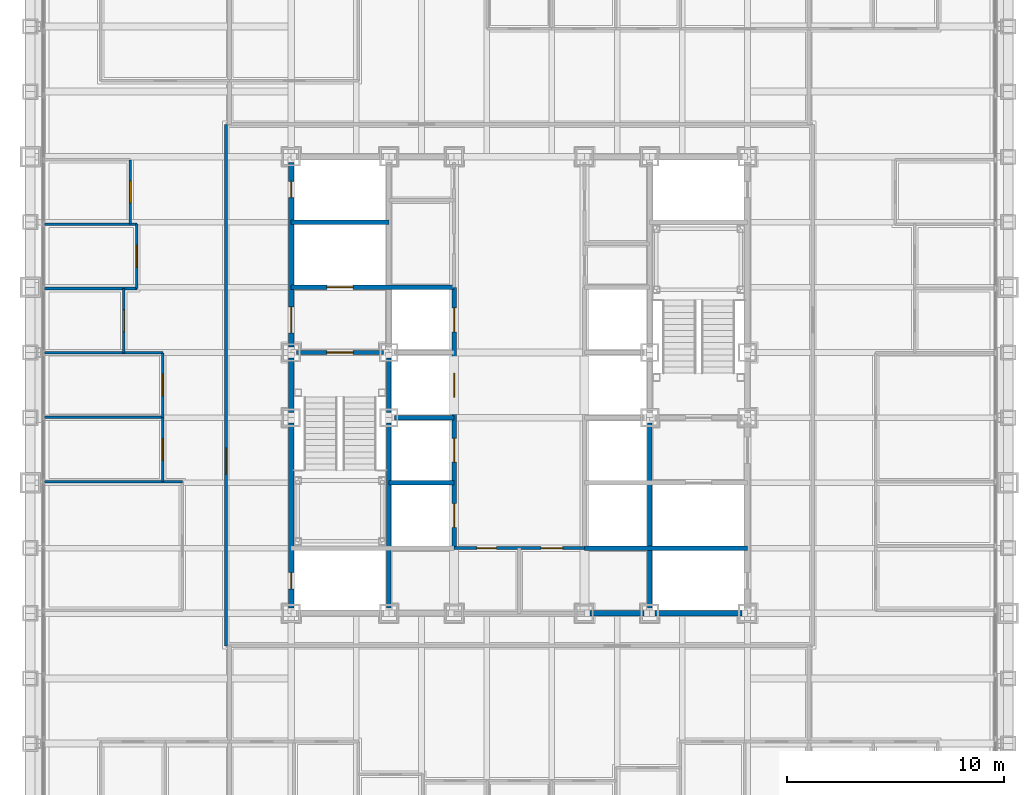
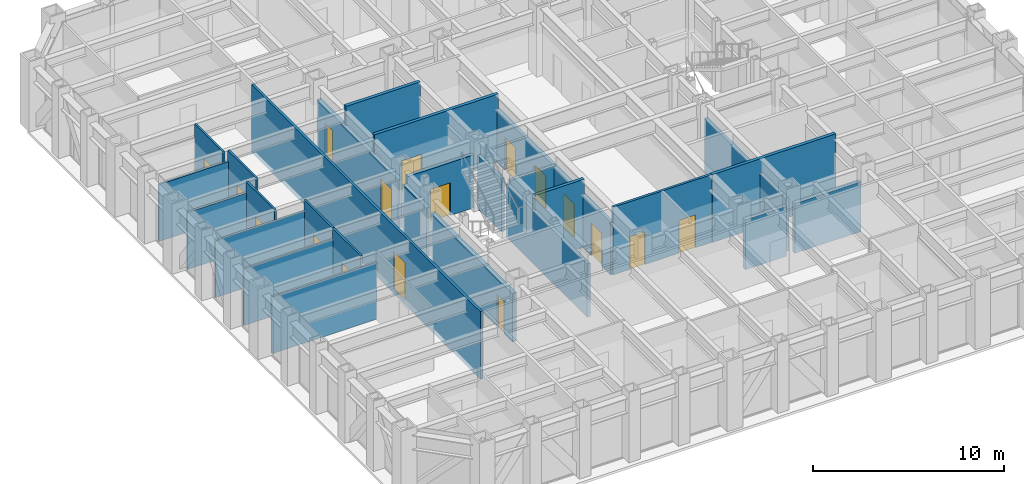
# One storey, part 9 of 16: 27 walls, 17 doors, 17 openings.
"""IFC4 building model written with IfcOpenShell, lengths in metres."""

from ifc_helpers import new_model, si_unit, direction, frame, frame_2d, origin, place, context, subcontext, project, spatial, rectangle, extrude, material, layer, layer_set, type_object, element, fill, save


model = new_model("IFC4")

# Units and contexts
model_context = context("Model", 3, precision=1e-05, world=origin(), true_north=direction((0.0, 1.0)))
body_context = subcontext(model_context, "Body", "Model", "MODEL_VIEW")
ifc_project = project(units=[si_unit("LENGTHUNIT", "METRE"), si_unit("AREAUNIT", "SQUARE_METRE"), si_unit("VOLUMEUNIT", "CUBIC_METRE"), si_unit("PLANEANGLEUNIT", "RADIAN"), si_unit("MASSUNIT", "GRAM", prefix="KILO")], contexts=[model_context])

# Site, building, storey
site_placement = place(None, origin())
site = spatial("IfcSite", under=ifc_project, at=site_placement, CompositionType="ELEMENT")
building_placement = place(site_placement, origin())
building = spatial("IfcBuilding", under=site, at=building_placement, Name="Chuquiago Exchange Tower", CompositionType="ELEMENT")
storey_placement = place(building_placement, frame((0.0, 0.0, 82.800048828125)))
storey = spatial("IfcBuildingStorey", under=building, at=storey_placement, Name="L17", CompositionType="ELEMENT", Elevation=82.800048828125)

# Wall, opening, door
ifc_material_1 = material(Name="Concrete masonry, fully grouted", Category="masonry")
ifc_layer_1 = layer(ifc_material_1, 0.25)
ifc_layer_set_1 = layer_set([ifc_layer_1], Name="W1 core wall 250")
wall_type_1 = type_object("IfcWallType", Name="W1 core wall 250", PredefinedType="SOLIDWALL", material=ifc_layer_set_1)
wall_1_placement = place(storey_placement, frame((12.0, 12.25, 0.0), z_axis=(0.0, 0.0, 1.0), x_axis=(0.0, 1.0, 0.0)))
wall_1 = element("IfcWall", 1, at=wall_1_placement, inside=storey, type_object=wall_type_1, Name="CW-L17-00-0", PredefinedType="SOLIDWALL", context=body_context, shape_type="SweptSolid", body=[
    extrude(rectangle(XDim=8.5, YDim=0.25, at=frame_2d((4.25, 0.0))), origin(), (0.0, 0.0, 1.0), 3.11279296875),
])
opening_1_placement = place(wall_1_placement, frame((0.875, 0.0, 0.0)))
opening_1 = element("IfcOpeningElement", 2, at=opening_1_placement, cuts=wall_1, Name="Opening L17-007", PredefinedType="OPENING", context=body_context, shape_type="SweptSolid", body=[
    extrude(rectangle(XDim=0.75, YDim=2.10009765625, at=frame_2d((0.375, 1.050048828125))), frame((0.0, 0.135009765625, 0.0), z_axis=(0.0, -1.0, 0.0), x_axis=(1.0, 0.0, 0.0)), (0.0, 0.0, 1.0), 0.27001953125),
])
ifc_material_2 = material(Name="Steel door, painted", Category="steel")
door_type_1 = type_object("IfcDoorType", Name="D6 riser access door 750x2100", OperationType="SINGLE_SWING_LEFT", PredefinedType="DOOR", material=ifc_material_2)
door_1_placement = place(opening_1_placement, origin())
door_1 = element("IfcDoor", 3, at=door_1_placement, inside=storey, type_object=door_type_1, Name="Riser RW1 door", OperationType="SINGLE_SWING_LEFT", OverallHeight=2.10009765625, OverallWidth=0.75, PredefinedType="DOOR", context=body_context, shape_type="SweptSolid", body=[
    extrude(rectangle(XDim=0.75, YDim=2.10009765625, at=frame_2d((0.375, 1.050048828125))), frame((0.0, 0.02490234375, 0.0), z_axis=(0.0, -1.0, 0.0), x_axis=(1.0, 0.0, 0.0)), (0.0, 0.0, 1.0), 0.050048828125),
])
fill(opening_1, door_1)

# Wall
wall_2_placement = place(storey_placement, frame((12.0, 21.25, 0.0), z_axis=(0.0, 0.0, 1.0), x_axis=(0.0, 1.0, 0.0)))
element("IfcWall", 4, at=wall_2_placement, inside=storey, type_object=wall_type_1, Name="CW-L17-00-1", PredefinedType="SOLIDWALL", context=body_context, shape_type="SweptSolid", body=[
    extrude(rectangle(XDim=2.5, YDim=0.25, at=frame_2d((1.25, 0.0))), origin(), (0.0, 0.0, 1.0), 3.11279296875),
])

# Wall, openings, doors
wall_3_placement = place(storey_placement, frame((12.0, 24.25, 0.0), z_axis=(0.0, 0.0, 1.0), x_axis=(0.0, 1.0, 0.0)))
wall_3 = element("IfcWall", 5, at=wall_3_placement, inside=storey, type_object=wall_type_1, Name="CW-L17-00-2", PredefinedType="SOLIDWALL", context=body_context, shape_type="SweptSolid", body=[
    extrude(rectangle(XDim=8.5, YDim=0.25, at=frame_2d((4.25, 0.0))), origin(), (0.0, 0.0, 1.0), 3.11279296875),
])
opening_2_placement = place(wall_3_placement, frame((0.64990234375, 0.0, 0.0)))
opening_2 = element("IfcOpeningElement", 6, at=opening_2_placement, cuts=wall_3, Name="Opening L17-002", PredefinedType="OPENING", context=body_context, shape_type="SweptSolid", body=[
    extrude(rectangle(XDim=1.199951171875, YDim=2.10009765625, at=frame_2d((0.60009765625, 1.050048828125))), frame((0.0, 0.135009765625, 0.0), z_axis=(0.0, -1.0, 0.0), x_axis=(1.0, 0.0, 0.0)), (0.0, 0.0, 1.0), 0.27001953125),
])
opening_3_placement = place(wall_3_placement, frame((6.875, 0.0, 0.0)))
opening_3 = element("IfcOpeningElement", 7, at=opening_3_placement, cuts=wall_3, Name="Opening L17-008", PredefinedType="OPENING", context=body_context, shape_type="SweptSolid", body=[
    extrude(rectangle(XDim=0.75, YDim=2.10009765625, at=frame_2d((0.375, 1.050048828125))), frame((0.0, 0.135009765625, 0.0), z_axis=(0.0, -1.0, 0.0), x_axis=(1.0, 0.0, 0.0)), (0.0, 0.0, 1.0), 0.27001953125),
])
ifc_material_3 = material(Name="Steel door, painted", Category="steel")
door_type_2 = type_object("IfcDoorType", Name="D5 firefighting lobby door 1200x2100", OperationType="SINGLE_SWING_LEFT", PredefinedType="DOOR", material=ifc_material_3)
door_2_placement = place(opening_2_placement, frame((1.199951171875, 0.0, 0.0), z_axis=(0.0, 0.0, 1.0), x_axis=(-1.0, 0.0, 0.0)))
door_2 = element("IfcDoor", 8, at=door_2_placement, inside=storey, type_object=door_type_2, Name="Firefighting lobby 1 door", OperationType="SINGLE_SWING_RIGHT", OverallHeight=2.10009765625, OverallWidth=1.199951171875, PredefinedType="DOOR", context=body_context, shape_type="SweptSolid", body=[
    extrude(rectangle(XDim=1.199951171875, YDim=2.10009765625, at=frame_2d((0.60009765625, 1.050048828125))), frame((0.0, 0.02490234375, 0.0), z_axis=(0.0, -1.0, 0.0), x_axis=(1.0, 0.0, 0.0)), (0.0, 0.0, 1.0), 0.050048828125),
])
fill(opening_2, door_2)
door_3_placement = place(opening_3_placement, origin())
door_3 = element("IfcDoor", 9, at=door_3_placement, inside=storey, type_object=door_type_1, Name="Riser RW2 door", OperationType="SINGLE_SWING_RIGHT", OverallHeight=2.10009765625, OverallWidth=0.75, PredefinedType="DOOR", context=body_context, shape_type="SweptSolid", body=[
    extrude(rectangle(XDim=0.75, YDim=2.10009765625, at=frame_2d((0.375, 1.050048828125))), frame((0.0, 0.02490234375, 0.0), z_axis=(0.0, -1.0, 0.0), x_axis=(1.0, 0.0, 0.0)), (0.0, 0.0, 1.0), 0.050048828125),
])
fill(opening_3, door_3)

# Walls
wall_4_placement = place(storey_placement, frame((25.75, 12.0, 0.0), z_axis=(0.0, 0.0, 1.0), x_axis=(1.0, 0.0, 0.0)))
element("IfcWall", 10, at=wall_4_placement, inside=storey, type_object=wall_type_1, Name="CW-L17-02-0", PredefinedType="SOLIDWALL", context=body_context, shape_type="SweptSolid", body=[
    extrude(rectangle(XDim=2.5, YDim=0.25, at=frame_2d((1.25, 0.0))), origin(), (0.0, 0.0, 1.0), 3.181396484375),
])
wall_5_placement = place(storey_placement, frame((28.75, 12.0, 0.0), z_axis=(0.0, 0.0, 1.0), x_axis=(1.0, 0.0, 0.0)))
element("IfcWall", 11, at=wall_5_placement, inside=storey, type_object=wall_type_1, Name="CW-L17-02-1", PredefinedType="SOLIDWALL", context=body_context, shape_type="SweptSolid", body=[
    extrude(rectangle(XDim=4.0, YDim=0.25, at=frame_2d((2.0, 0.0))), origin(), (0.0, 0.0, 1.0), 3.181396484375),
])

# Wall, opening, door
ifc_material_4 = material(Name="Gypsum board on steel studs, acoustic insulation", Category="steel")
ifc_layer_2 = layer(ifc_material_4, 0.14990234375)
ifc_layer_set_2 = layer_set([ifc_layer_2], Name="W11 corridor wall 150")
wall_type_2 = type_object("IfcWallType", Name="W11 corridor wall 150", PredefinedType="PARTITIONING", material=ifc_layer_set_2)
wall_6_placement = place(storey_placement, frame((9.0, 10.5, -0.300048828125), z_axis=(0.0, 0.0, 1.0), x_axis=(0.0, 1.0, 0.0)))
wall_6 = element("IfcWall", 12, at=wall_6_placement, inside=storey, type_object=wall_type_2, Name="PW-L17-CW", PredefinedType="PARTITIONING", context=body_context, shape_type="SweptSolid", body=[
    extrude(rectangle(XDim=24.0, YDim=0.14990234375, at=frame_2d((12.0, 0.0))), origin(), (0.0, 0.0, 1.0), 4.340087890625),
])
opening_4_placement = place(wall_6_placement, frame((7.89990234375, 0.0, 0.300048828125)))
opening_4 = element("IfcOpeningElement", 13, at=opening_4_placement, cuts=wall_6, Name="Opening L17-058", PredefinedType="OPENING", context=body_context, shape_type="SweptSolid", body=[
    extrude(rectangle(XDim=1.199951171875, YDim=2.39990234375, at=frame_2d((0.60009765625, 1.199951171875))), frame((0.0, 0.0849609375, 0.0), z_axis=(0.0, -1.0, 0.0), x_axis=(1.0, 0.0, 0.0)), (0.0, 0.0, 1.0), 0.169921875),
])
ifc_material_5 = material(Name="Timber door, laminate faced", Category="wood")
door_type_3 = type_object("IfcDoorType", Name="D13 suite entrance door 1200x2400", OperationType="SINGLE_SWING_LEFT", PredefinedType="DOOR", material=ifc_material_5)
door_4_placement = place(opening_4_placement, origin())
door_4 = element("IfcDoor", 14, at=door_4_placement, inside=storey, type_object=door_type_3, Name="West suite entrance door", OperationType="SINGLE_SWING_LEFT", OverallHeight=2.39990234375, OverallWidth=1.199951171875, PredefinedType="DOOR", context=body_context, shape_type="SweptSolid", body=[
    extrude(rectangle(XDim=1.199951171875, YDim=2.39990234375, at=frame_2d((0.60009765625, 1.199951171875))), frame((0.0, 0.02490234375, 0.0), z_axis=(0.0, -1.0, 0.0), x_axis=(1.0, 0.0, 0.0)), (0.0, 0.0, 1.0), 0.050048828125),
])
fill(opening_4, door_4)

# Wall
ifc_material_6 = material(Name="Concrete masonry, fully grouted", Category="masonry")
ifc_layer_3 = layer(ifc_material_6, 0.199951171875)
ifc_layer_set_3 = layer_set([ifc_layer_3], Name="W2 shaft wall 200")
wall_type_3 = type_object("IfcWallType", Name="W2 shaft wall 200", PredefinedType="SOLIDWALL", material=ifc_layer_set_3)
wall_7_placement = place(storey_placement, frame((25.5, 15.0, 0.0), z_axis=(0.0, 0.0, 1.0), x_axis=(1.0, 0.0, 0.0)))
element("IfcWall", 15, at=wall_7_placement, inside=storey, type_object=wall_type_3, Name="CW-L17-04-0", PredefinedType="SOLIDWALL", context=body_context, shape_type="SweptSolid", body=[
    extrude(rectangle(XDim=7.5, YDim=0.199951171875, at=frame_2d((3.75, 0.0))), origin(), (0.0, 0.0, 1.0), 4.33984375),
])

# Wall, opening, door
wall_8_placement = place(storey_placement, frame((12.25, 24.0, 0.0), z_axis=(0.0, 0.0, 1.0), x_axis=(1.0, 0.0, 0.0)))
wall_8 = element("IfcWall", 16, at=wall_8_placement, inside=storey, type_object=wall_type_3, Name="CW-L17-05-0", PredefinedType="SOLIDWALL", context=body_context, shape_type="SweptSolid", body=[
    extrude(rectangle(XDim=4.0, YDim=0.199951171875, at=frame_2d((2.0, 0.0))), origin(), (0.0, 0.0, 1.0), 3.389892578125),
])
opening_5_placement = place(wall_8_placement, frame((1.39990234375, 0.0, 0.0)))
opening_5 = element("IfcOpeningElement", 17, at=opening_5_placement, cuts=wall_8, Name="Opening L17-001", PredefinedType="OPENING", context=body_context, shape_type="SweptSolid", body=[
    extrude(rectangle(XDim=1.199951171875, YDim=2.10009765625, at=frame_2d((0.60009765625, 1.050048828125))), frame((0.0, 0.10986328125, 0.0), z_axis=(0.0, -1.0, 0.0), x_axis=(1.0, 0.0, 0.0)), (0.0, 0.0, 1.0), 0.219970703125),
])
ifc_material_7 = material(Name="Steel door, painted", Category="steel")
door_type_4 = type_object("IfcDoorType", Name="D4 stair door 1200x2100", OperationType="SINGLE_SWING_LEFT", PredefinedType="DOOR", material=ifc_material_7)
door_5_placement = place(opening_5_placement, frame((1.199951171875, 0.0, 0.0), z_axis=(0.0, 0.0, 1.0), x_axis=(-1.0, 0.0, 0.0)))
door_5 = element("IfcDoor", 18, at=door_5_placement, inside=storey, type_object=door_type_4, Name="Stair ST1 door", OperationType="SINGLE_SWING_RIGHT", OverallHeight=2.10009765625, OverallWidth=1.199951171875, PredefinedType="DOOR", context=body_context, shape_type="SweptSolid", body=[
    extrude(rectangle(XDim=1.199951171875, YDim=2.10009765625, at=frame_2d((0.60009765625, 1.050048828125))), frame((0.0, 0.02490234375, 0.0), z_axis=(0.0, -1.0, 0.0), x_axis=(1.0, 0.0, 0.0)), (0.0, 0.0, 1.0), 0.050048828125),
])
fill(opening_5, door_5)

wall_9_placement = place(storey_placement, frame((12.0, 27.0, 0.0), z_axis=(0.0, 0.0, 1.0), x_axis=(1.0, 0.0, 0.0)))
wall_9 = element("IfcWall", 19, at=wall_9_placement, inside=storey, type_object=wall_type_3, Name="CW-L17-07-0", PredefinedType="SOLIDWALL", context=body_context, shape_type="SweptSolid", body=[
    extrude(rectangle(XDim=7.5, YDim=0.199951171875, at=frame_2d((3.75, 0.0))), origin(), (0.0, 0.0, 1.0), 4.33984375),
])
opening_6_placement = place(wall_9_placement, frame((1.64990234375, 0.0, 0.0)))
opening_6 = element("IfcOpeningElement", 20, at=opening_6_placement, cuts=wall_9, Name="Opening L17-005", PredefinedType="OPENING", context=body_context, shape_type="SweptSolid", body=[
    extrude(rectangle(XDim=1.199951171875, YDim=2.10009765625, at=frame_2d((0.60009765625, 1.050048828125))), frame((0.0, 0.10986328125, 0.0), z_axis=(0.0, -1.0, 0.0), x_axis=(1.0, 0.0, 0.0)), (0.0, 0.0, 1.0), 0.219970703125),
])
ifc_material_8 = material(Name="Stainless steel lift landing door", Category="steel")
door_type_5 = type_object("IfcDoorType", Name="LD2 firefighting lift landing door 1200x2100", OperationType="DOUBLE_DOOR_SLIDING", PredefinedType="DOOR", material=ifc_material_8)
door_6_placement = place(opening_6_placement, origin())
door_6 = element("IfcDoor", 21, at=door_6_placement, inside=storey, type_object=door_type_5, Name="Firefighting lift FL1 landing door", OperationType="DOUBLE_DOOR_SLIDING", OverallHeight=2.10009765625, OverallWidth=1.199951171875, PredefinedType="DOOR", context=body_context, shape_type="SweptSolid", body=[
    extrude(rectangle(XDim=1.199951171875, YDim=2.10009765625, at=frame_2d((0.60009765625, 1.050048828125))), frame((0.0, 0.02490234375, 0.0), z_axis=(0.0, -1.0, 0.0), x_axis=(1.0, 0.0, 0.0)), (0.0, 0.0, 1.0), 0.050048828125),
])
fill(opening_6, door_6)

# Walls
wall_10_placement = place(storey_placement, frame((12.0, 30.0, 0.0), z_axis=(0.0, 0.0, 1.0), x_axis=(1.0, 0.0, 0.0)))
element("IfcWall", 22, at=wall_10_placement, inside=storey, type_object=wall_type_3, Name="CW-L17-09-0", PredefinedType="SOLIDWALL", context=body_context, shape_type="SweptSolid", body=[
    extrude(rectangle(XDim=4.5, YDim=0.199951171875, at=frame_2d((2.25, 0.0))), origin(), (0.0, 0.0, 1.0), 4.33984375),
])
wall_11_placement = place(storey_placement, frame((16.5, 12.25, 0.0), z_axis=(0.0, 0.0, 1.0), x_axis=(0.0, 1.0, 0.0)))
element("IfcWall", 23, at=wall_11_placement, inside=storey, type_object=wall_type_3, Name="CW-L17-13-0", PredefinedType="SOLIDWALL", context=body_context, shape_type="SweptSolid", body=[
    extrude(rectangle(XDim=8.5, YDim=0.199951171875, at=frame_2d((4.25, 0.0))), origin(), (0.0, 0.0, 1.0), 3.412841796875),
])
wall_12_placement = place(storey_placement, frame((16.5, 21.25, 0.0), z_axis=(0.0, 0.0, 1.0), x_axis=(0.0, 1.0, 0.0)))
element("IfcWall", 24, at=wall_12_placement, inside=storey, type_object=wall_type_3, Name="CW-L17-13-1", PredefinedType="SOLIDWALL", context=body_context, shape_type="SweptSolid", body=[
    extrude(rectangle(XDim=2.5, YDim=0.199951171875, at=frame_2d((1.25, 0.0))), origin(), (0.0, 0.0, 1.0), 3.412841796875),
])
wall_13_placement = place(storey_placement, frame((16.5, 18.0, 0.0), z_axis=(0.0, 0.0, 1.0), x_axis=(1.0, 0.0, 0.0)))
element("IfcWall", 25, at=wall_13_placement, inside=storey, type_object=wall_type_3, Name="CW-L17-14-0", PredefinedType="SOLIDWALL", context=body_context, shape_type="SweptSolid", body=[
    extrude(rectangle(XDim=3.0, YDim=0.199951171875, at=frame_2d((1.5, 0.0))), origin(), (0.0, 0.0, 1.0), 4.33984375),
])
wall_14_placement = place(storey_placement, frame((16.75, 21.0, 0.0), z_axis=(0.0, 0.0, 1.0), x_axis=(1.0, 0.0, 0.0)))
element("IfcWall", 26, at=wall_14_placement, inside=storey, type_object=wall_type_3, Name="CW-L17-16-0", PredefinedType="SOLIDWALL", context=body_context, shape_type="SweptSolid", body=[
    extrude(rectangle(XDim=2.75, YDim=0.199951171875, at=frame_2d((1.375, 0.0))), origin(), (0.0, 0.0, 1.0), 3.389892578125),
])

# Wall, openings, doors
wall_15_placement = place(storey_placement, frame((19.5, 15.0, 0.0), z_axis=(0.0, 0.0, 1.0), x_axis=(0.0, 1.0, 0.0)))
wall_15 = element("IfcWall", 27, at=wall_15_placement, inside=storey, type_object=wall_type_3, Name="CW-L17-19-0", PredefinedType="SOLIDWALL", context=body_context, shape_type="SweptSolid", body=[
    extrude(rectangle(XDim=12.0, YDim=0.199951171875, at=frame_2d((6.0, 0.0))), origin(), (0.0, 0.0, 1.0), 3.364501953125),
])
opening_7_placement = place(wall_15_placement, frame((0.949951171875, 0.0, 0.0)))
opening_7 = element("IfcOpeningElement", 28, at=opening_7_placement, cuts=wall_15, Name="Opening L17-017", PredefinedType="OPENING", context=body_context, shape_type="SweptSolid", body=[
    extrude(rectangle(XDim=1.10009765625, YDim=2.10009765625, at=frame_2d((0.550048828125, 1.050048828125))), frame((0.0, 0.10986328125, 0.0), z_axis=(0.0, -1.0, 0.0), x_axis=(1.0, 0.0, 0.0)), (0.0, 0.0, 1.0), 0.219970703125),
])
opening_8_placement = place(wall_15_placement, frame((3.949951171875, 0.0, 0.0)))
opening_8 = element("IfcOpeningElement", 29, at=opening_8_placement, cuts=wall_15, Name="Opening L17-018", PredefinedType="OPENING", context=body_context, shape_type="SweptSolid", body=[
    extrude(rectangle(XDim=1.10009765625, YDim=2.10009765625, at=frame_2d((0.550048828125, 1.050048828125))), frame((0.0, 0.10986328125, 0.0), z_axis=(0.0, -1.0, 0.0), x_axis=(1.0, 0.0, 0.0)), (0.0, 0.0, 1.0), 0.219970703125),
])
opening_9_placement = place(wall_15_placement, frame((6.949951171875, 0.0, 0.0)))
opening_9 = element("IfcOpeningElement", 30, at=opening_9_placement, cuts=wall_15, Name="Opening L17-019", PredefinedType="OPENING", context=body_context, shape_type="SweptSolid", body=[
    extrude(rectangle(XDim=1.10009765625, YDim=2.10009765625, at=frame_2d((0.550048828125, 1.050048828125))), frame((0.0, 0.10986328125, 0.0), z_axis=(0.0, -1.0, 0.0), x_axis=(1.0, 0.0, 0.0)), (0.0, 0.0, 1.0), 0.219970703125),
])
opening_10_placement = place(wall_15_placement, frame((9.949951171875, 0.0, 0.0)))
opening_10 = element("IfcOpeningElement", 31, at=opening_10_placement, cuts=wall_15, Name="Opening L17-020", PredefinedType="OPENING", context=body_context, shape_type="SweptSolid", body=[
    extrude(rectangle(XDim=1.10009765625, YDim=2.10009765625, at=frame_2d((0.550048828125, 1.050048828125))), frame((0.0, 0.10986328125, 0.0), z_axis=(0.0, -1.0, 0.0), x_axis=(1.0, 0.0, 0.0)), (0.0, 0.0, 1.0), 0.219970703125),
])
ifc_material_9 = material(Name="Stainless steel lift landing door", Category="steel")
door_type_6 = type_object("IfcDoorType", Name="LD1 lift landing door 1100x2100", OperationType="DOUBLE_DOOR_SLIDING", PredefinedType="DOOR", material=ifc_material_9)
door_7_placement = place(opening_7_placement, origin())
door_7 = element("IfcDoor", 32, at=door_7_placement, inside=storey, type_object=door_type_6, Name="Lift LA1 landing door", OperationType="DOUBLE_DOOR_SLIDING", OverallHeight=2.10009765625, OverallWidth=1.10009765625, PredefinedType="DOOR", context=body_context, shape_type="SweptSolid", body=[
    extrude(rectangle(XDim=1.10009765625, YDim=2.10009765625, at=frame_2d((0.550048828125, 1.050048828125))), frame((0.0, 0.02490234375, 0.0), z_axis=(0.0, -1.0, 0.0), x_axis=(1.0, 0.0, 0.0)), (0.0, 0.0, 1.0), 0.050048828125),
])
fill(opening_7, door_7)
door_8_placement = place(opening_8_placement, origin())
door_8 = element("IfcDoor", 33, at=door_8_placement, inside=storey, type_object=door_type_6, Name="Lift LA2 landing door", OperationType="DOUBLE_DOOR_SLIDING", OverallHeight=2.10009765625, OverallWidth=1.10009765625, PredefinedType="DOOR", context=body_context, shape_type="SweptSolid", body=[
    extrude(rectangle(XDim=1.10009765625, YDim=2.10009765625, at=frame_2d((0.550048828125, 1.050048828125))), frame((0.0, 0.02490234375, 0.0), z_axis=(0.0, -1.0, 0.0), x_axis=(1.0, 0.0, 0.0)), (0.0, 0.0, 1.0), 0.050048828125),
])
fill(opening_8, door_8)
door_9_placement = place(opening_9_placement, origin())
door_9 = element("IfcDoor", 34, at=door_9_placement, inside=storey, type_object=door_type_6, Name="Lift LA3 landing door", OperationType="DOUBLE_DOOR_SLIDING", OverallHeight=2.10009765625, OverallWidth=1.10009765625, PredefinedType="DOOR", context=body_context, shape_type="SweptSolid", body=[
    extrude(rectangle(XDim=1.10009765625, YDim=2.10009765625, at=frame_2d((0.550048828125, 1.050048828125))), frame((0.0, 0.02490234375, 0.0), z_axis=(0.0, -1.0, 0.0), x_axis=(1.0, 0.0, 0.0)), (0.0, 0.0, 1.0), 0.050048828125),
])
fill(opening_9, door_9)
door_10_placement = place(opening_10_placement, origin())
door_10 = element("IfcDoor", 35, at=door_10_placement, inside=storey, type_object=door_type_6, Name="Lift LA4 landing door", OperationType="DOUBLE_DOOR_SLIDING", OverallHeight=2.10009765625, OverallWidth=1.10009765625, PredefinedType="DOOR", context=body_context, shape_type="SweptSolid", body=[
    extrude(rectangle(XDim=1.10009765625, YDim=2.10009765625, at=frame_2d((0.550048828125, 1.050048828125))), frame((0.0, 0.02490234375, 0.0), z_axis=(0.0, -1.0, 0.0), x_axis=(1.0, 0.0, 0.0)), (0.0, 0.0, 1.0), 0.050048828125),
])
fill(opening_10, door_10)

# Wall
wall_16_placement = place(storey_placement, frame((28.5, 12.25, 0.0), z_axis=(0.0, 0.0, 1.0), x_axis=(0.0, 1.0, 0.0)))
element("IfcWall", 36, at=wall_16_placement, inside=storey, type_object=wall_type_3, Name="CW-L17-24-0", PredefinedType="SOLIDWALL", context=body_context, shape_type="SweptSolid", body=[
    extrude(rectangle(XDim=8.5, YDim=0.199951171875, at=frame_2d((4.25, 0.0))), origin(), (0.0, 0.0, 1.0), 3.412841796875),
])

# Wall, openings, doors
ifc_material_10 = material(Name="Gypsum board on steel studs", Category="steel")
ifc_layer_4 = layer(ifc_material_10, 0.14990234375)
ifc_layer_set_4 = layer_set([ifc_layer_4], Name="W3 core partition 150")
wall_type_4 = type_object("IfcWallType", Name="W3 core partition 150", PredefinedType="PARTITIONING", material=ifc_layer_set_4)
wall_17_placement = place(storey_placement, frame((19.5, 15.0, 0.0), z_axis=(0.0, 0.0, 1.0), x_axis=(1.0, 0.0, 0.0)))
wall_17 = element("IfcWall", 37, at=wall_17_placement, inside=storey, type_object=wall_type_4, Name="CW-L17-TF", PredefinedType="PARTITIONING", context=body_context, shape_type="SweptSolid", body=[
    extrude(rectangle(XDim=6.0, YDim=0.14990234375, at=frame_2d((3.0, 0.0))), origin(), (0.0, 0.0, 1.0), 4.33984375),
])
opening_11_placement = place(wall_17_placement, frame((4.0, 0.0, 0.0)))
opening_11 = element("IfcOpeningElement", 38, at=opening_11_placement, cuts=wall_17, Name="Opening L17-015", PredefinedType="OPENING", context=body_context, shape_type="SweptSolid", body=[
    extrude(rectangle(XDim=1.0, YDim=2.10009765625, at=frame_2d((0.5, 1.050048828125))), frame((0.0, 0.0849609375, 0.0), z_axis=(0.0, -1.0, 0.0), x_axis=(1.0, 0.0, 0.0)), (0.0, 0.0, 1.0), 0.169921875),
])
opening_12_placement = place(wall_17_placement, frame((1.050048828125, 0.0, 0.0)))
opening_12 = element("IfcOpeningElement", 39, at=opening_12_placement, cuts=wall_17, Name="Opening L17-016", PredefinedType="OPENING", context=body_context, shape_type="SweptSolid", body=[
    extrude(rectangle(XDim=0.89990234375, YDim=2.10009765625, at=frame_2d((0.449951171875, 1.050048828125))), frame((0.0, 0.0849609375, 0.0), z_axis=(0.0, -1.0, 0.0), x_axis=(1.0, 0.0, 0.0)), (0.0, 0.0, 1.0), 0.169921875),
])
ifc_material_11 = material(Name="Timber door, laminate faced", Category="wood")
door_type_7 = type_object("IfcDoorType", Name="D7 toilet door 900x2100", OperationType="SINGLE_SWING_LEFT", PredefinedType="DOOR", material=ifc_material_11)
door_11_placement = place(opening_12_placement, origin())
door_11 = element("IfcDoor", 40, at=door_11_placement, inside=storey, type_object=door_type_7, Name="Cleaner door", OperationType="SINGLE_SWING_LEFT", OverallHeight=2.10009765625, OverallWidth=0.89990234375, PredefinedType="DOOR", context=body_context, shape_type="SweptSolid", body=[
    extrude(rectangle(XDim=0.89990234375, YDim=2.10009765625, at=frame_2d((0.449951171875, 1.050048828125))), frame((0.0, 0.02490234375, 0.0), z_axis=(0.0, -1.0, 0.0), x_axis=(1.0, 0.0, 0.0)), (0.0, 0.0, 1.0), 0.050048828125),
])
fill(opening_12, door_11)
ifc_material_12 = material(Name="Timber door, laminate faced", Category="wood")
door_type_8 = type_object("IfcDoorType", Name="D8 accessible toilet door 1000x2100", OperationType="SLIDING_TO_LEFT", PredefinedType="DOOR", material=ifc_material_12)
door_12_placement = place(opening_11_placement, origin())
door_12 = element("IfcDoor", 41, at=door_12_placement, inside=storey, type_object=door_type_8, Name="Accessible WC door", OperationType="SLIDING_TO_LEFT", OverallHeight=2.10009765625, OverallWidth=1.0, PredefinedType="DOOR", context=body_context, shape_type="SweptSolid", body=[
    extrude(rectangle(XDim=1.0, YDim=2.10009765625, at=frame_2d((0.5, 1.050048828125))), frame((0.0, 0.02490234375, 0.0), z_axis=(0.0, -1.0, 0.0), x_axis=(1.0, 0.0, 0.0)), (0.0, 0.0, 1.0), 0.050048828125),
])
fill(opening_11, door_12)

# Walls
ifc_material_13 = material(Name="Gypsum board on steel studs", Category="steel")
ifc_layer_5 = layer(ifc_material_13, 0.1201171875)
ifc_layer_set_5 = layer_set([ifc_layer_5], Name="W4 partition 120")
wall_type_5 = type_object("IfcWallType", Name="W4 partition 120", PredefinedType="PARTITIONING", material=ifc_layer_set_5)
wall_18_placement = place(storey_placement, frame((0.657470703125, 18.057373046875, -0.300048828125), z_axis=(0.0, 0.0, 1.0), x_axis=(1.0, 0.0, 0.0)))
element("IfcWall", 42, at=wall_18_placement, inside=storey, type_object=wall_type_5, Name="PW-L17-W01806", PredefinedType="PARTITIONING", context=body_context, shape_type="SweptSolid", body=[
    extrude(rectangle(XDim=6.342529296875, YDim=0.1201171875, at=frame_2d((3.17138671875, 0.0))), origin(), (0.0, 0.0, 1.0), 3.646484375),
])
for number, where, z_axis, x_axis, name in (
    (43, (0.657470703125, 21.01904296875, -0.300048828125), (0.0, 0.0, 1.0), (1.0, 0.0, 0.0), "PW-L17-W02102"),
    (44, (0.657470703125, 23.98095703125, -0.300048828125), (0.0, 0.0, 1.0), (1.0, 0.0, 0.0), "PW-L17-W02398"),
):
    element("IfcWall", number, at=place(storey_placement, frame(where, z_axis=z_axis, x_axis=x_axis)), inside=storey, type_object=wall_type_5, Name=name, PredefinedType="PARTITIONING", context=body_context, shape_type="SweptSolid", body=[
        extrude(rectangle(XDim=5.442626953125, YDim=0.1201171875, at=frame_2d((2.72119140625, 0.0))), origin(), (0.0, 0.0, 1.0), 3.646484375),
    ])
for number, where, z_axis, x_axis, name in (
    (45, (0.657470703125, 26.942626953125, -0.300048828125), (0.0, 0.0, 1.0), (1.0, 0.0, 0.0), "PW-L17-W02694"),
    (46, (0.657470703125, 29.904296875, -0.300048828125), (0.0, 0.0, 1.0), (1.0, 0.0, 0.0), "PW-L17-W02990"),
):
    element("IfcWall", number, at=place(storey_placement, frame(where, z_axis=z_axis, x_axis=x_axis)), inside=storey, type_object=wall_type_5, Name=name, PredefinedType="PARTITIONING", context=body_context, shape_type="SweptSolid", body=[
        extrude(rectangle(XDim=4.242431640625, YDim=0.1201171875, at=frame_2d((2.12109375, 0.0))), origin(), (0.0, 0.0, 1.0), 3.646484375),
    ])

# Wall, opening, door
wall_19_placement = place(storey_placement, frame((6.10009765625, 18.057373046875, -0.300048828125), z_axis=(0.0, 0.0, 1.0), x_axis=(0.0, 1.0, 0.0)))
wall_19 = element("IfcWall", 47, at=wall_19_placement, inside=storey, type_object=wall_type_5, Name="PW-L17-WF01806", PredefinedType="PARTITIONING", context=body_context, shape_type="SweptSolid", body=[
    extrude(rectangle(XDim=2.961669921875, YDim=0.1201171875, at=frame_2d((1.48095703125, 0.0))), origin(), (0.0, 0.0, 1.0), 4.340087890625),
])
opening_13_placement = place(wall_19_placement, frame((0.98095703125, 0.0, 0.300048828125)))
opening_13 = element("IfcOpeningElement", 48, at=opening_13_placement, cuts=wall_19, Name="Opening L17-051", PredefinedType="OPENING", context=body_context, shape_type="SweptSolid", body=[
    extrude(rectangle(XDim=1.0, YDim=2.39990234375, at=frame_2d((0.5, 1.199951171875))), frame((0.0, 0.070068359375, 0.0), z_axis=(0.0, -1.0, 0.0), x_axis=(1.0, 0.0, 0.0)), (0.0, 0.0, 1.0), 0.14013671875),
])
ifc_material_14 = material(Name="Timber door, laminate faced", Category="wood")
door_type_9 = type_object("IfcDoorType", Name="D9 room door 1000x2400", OperationType="SINGLE_SWING_LEFT", PredefinedType="DOOR", material=ifc_material_14)
door_13_placement = place(opening_13_placement, origin())
door_13 = element("IfcDoor", 49, at=door_13_placement, inside=storey, type_object=door_type_9, Name="Office door", OperationType="SINGLE_SWING_RIGHT", OverallHeight=2.39990234375, OverallWidth=1.0, PredefinedType="DOOR", context=body_context, shape_type="SweptSolid", body=[
    extrude(rectangle(XDim=1.0, YDim=2.39990234375, at=frame_2d((0.5, 1.199951171875))), frame((0.0, 0.02490234375, 0.0), z_axis=(0.0, -1.0, 0.0), x_axis=(1.0, 0.0, 0.0)), (0.0, 0.0, 1.0), 0.050048828125),
])
fill(opening_13, door_13)

wall_20_placement = place(storey_placement, frame((6.10009765625, 21.01904296875, -0.300048828125), z_axis=(0.0, 0.0, 1.0), x_axis=(0.0, 1.0, 0.0)))
wall_20 = element("IfcWall", 50, at=wall_20_placement, inside=storey, type_object=wall_type_5, Name="PW-L17-WF02102", PredefinedType="PARTITIONING", context=body_context, shape_type="SweptSolid", body=[
    extrude(rectangle(XDim=2.9619140625, YDim=0.1201171875, at=frame_2d((1.48095703125, 0.0))), origin(), (0.0, 0.0, 1.0), 4.340087890625),
])
opening_14_placement = place(wall_20_placement, frame((0.98095703125, 0.0, 0.300048828125)))
opening_14 = element("IfcOpeningElement", 51, at=opening_14_placement, cuts=wall_20, Name="Opening L17-052", PredefinedType="OPENING", context=body_context, shape_type="SweptSolid", body=[
    extrude(rectangle(XDim=1.0, YDim=2.39990234375, at=frame_2d((0.5, 1.199951171875))), frame((0.0, 0.070068359375, 0.0), z_axis=(0.0, -1.0, 0.0), x_axis=(1.0, 0.0, 0.0)), (0.0, 0.0, 1.0), 0.14013671875),
])
door_14_placement = place(opening_14_placement, origin())
door_14 = element("IfcDoor", 52, at=door_14_placement, inside=storey, type_object=door_type_9, Name="Office door", OperationType="SINGLE_SWING_RIGHT", OverallHeight=2.39990234375, OverallWidth=1.0, PredefinedType="DOOR", context=body_context, shape_type="SweptSolid", body=[
    extrude(rectangle(XDim=1.0, YDim=2.39990234375, at=frame_2d((0.5, 1.199951171875))), frame((0.0, 0.02490234375, 0.0), z_axis=(0.0, -1.0, 0.0), x_axis=(1.0, 0.0, 0.0)), (0.0, 0.0, 1.0), 0.050048828125),
])
fill(opening_14, door_14)

wall_21_placement = place(storey_placement, frame((4.300048828125, 23.98095703125, -0.300048828125), z_axis=(0.0, 0.0, 1.0), x_axis=(0.0, 1.0, 0.0)))
wall_21 = element("IfcWall", 53, at=wall_21_placement, inside=storey, type_object=wall_type_5, Name="PW-L17-WF02398", PredefinedType="PARTITIONING", context=body_context, shape_type="SweptSolid", body=[
    extrude(rectangle(XDim=2.961669921875, YDim=0.1201171875, at=frame_2d((1.48095703125, 0.0))), origin(), (0.0, 0.0, 1.0), 4.340087890625),
])
opening_15_placement = place(wall_21_placement, frame((0.98095703125, 0.0, 0.300048828125)))
opening_15 = element("IfcOpeningElement", 54, at=opening_15_placement, cuts=wall_21, Name="Opening L17-053", PredefinedType="OPENING", context=body_context, shape_type="SweptSolid", body=[
    extrude(rectangle(XDim=1.0, YDim=2.39990234375, at=frame_2d((0.5, 1.199951171875))), frame((0.0, 0.070068359375, 0.0), z_axis=(0.0, -1.0, 0.0), x_axis=(1.0, 0.0, 0.0)), (0.0, 0.0, 1.0), 0.14013671875),
])
ifc_material_15 = material(Name="Timber frame door, full height glazed panel", Category="wood")
door_type_10 = type_object("IfcDoorType", Name="D14 glazed meeting room door 1000x2400", OperationType="SINGLE_SWING_LEFT", PredefinedType="DOOR", material=ifc_material_15)
door_15_placement = place(opening_15_placement, origin())
door_15 = element("IfcDoor", 55, at=door_15_placement, inside=storey, type_object=door_type_10, Name="Focus room door", OperationType="SINGLE_SWING_RIGHT", OverallHeight=2.39990234375, OverallWidth=1.0, PredefinedType="DOOR", context=body_context, shape_type="SweptSolid", body=[
    extrude(rectangle(XDim=1.0, YDim=2.39990234375, at=frame_2d((0.5, 1.199951171875))), frame((0.0, 0.02490234375, 0.0), z_axis=(0.0, -1.0, 0.0), x_axis=(1.0, 0.0, 0.0)), (0.0, 0.0, 1.0), 0.050048828125),
])
fill(opening_15, door_15)

wall_22_placement = place(storey_placement, frame((4.89990234375, 26.942626953125, -0.300048828125), z_axis=(0.0, 0.0, 1.0), x_axis=(0.0, 1.0, 0.0)))
wall_22 = element("IfcWall", 56, at=wall_22_placement, inside=storey, type_object=wall_type_5, Name="PW-L17-WF02694", PredefinedType="PARTITIONING", context=body_context, shape_type="SweptSolid", body=[
    extrude(rectangle(XDim=2.961669921875, YDim=0.1201171875, at=frame_2d((1.48095703125, 0.0))), origin(), (0.0, 0.0, 1.0), 4.340087890625),
])
opening_16_placement = place(wall_22_placement, frame((0.98095703125, 0.0, 0.300048828125)))
opening_16 = element("IfcOpeningElement", 57, at=opening_16_placement, cuts=wall_22, Name="Opening L17-054", PredefinedType="OPENING", context=body_context, shape_type="SweptSolid", body=[
    extrude(rectangle(XDim=1.0, YDim=2.39990234375, at=frame_2d((0.5, 1.199951171875))), frame((0.0, 0.070068359375, 0.0), z_axis=(0.0, -1.0, 0.0), x_axis=(1.0, 0.0, 0.0)), (0.0, 0.0, 1.0), 0.14013671875),
])
door_16_placement = place(opening_16_placement, origin())
door_16 = element("IfcDoor", 58, at=door_16_placement, inside=storey, type_object=door_type_9, Name="Pantry door", OperationType="SINGLE_SWING_LEFT", OverallHeight=2.39990234375, OverallWidth=1.0, PredefinedType="DOOR", context=body_context, shape_type="SweptSolid", body=[
    extrude(rectangle(XDim=1.0, YDim=2.39990234375, at=frame_2d((0.5, 1.199951171875))), frame((0.0, 0.02490234375, 0.0), z_axis=(0.0, -1.0, 0.0), x_axis=(1.0, 0.0, 0.0)), (0.0, 0.0, 1.0), 0.050048828125),
])
fill(opening_16, door_16)

wall_23_placement = place(storey_placement, frame((4.60009765625, 29.904296875, -0.300048828125), z_axis=(0.0, 0.0, 1.0), x_axis=(0.0, 1.0, 0.0)))
wall_23 = element("IfcWall", 59, at=wall_23_placement, inside=storey, type_object=wall_type_5, Name="PW-L17-WF02990", PredefinedType="PARTITIONING", context=body_context, shape_type="SweptSolid", body=[
    extrude(rectangle(XDim=2.9619140625, YDim=0.1201171875, at=frame_2d((1.48095703125, 0.0))), origin(), (0.0, 0.0, 1.0), 4.340087890625),
])
opening_17_placement = place(wall_23_placement, frame((0.98095703125, 0.0, 0.300048828125)))
opening_17 = element("IfcOpeningElement", 60, at=opening_17_placement, cuts=wall_23, Name="Opening L17-055", PredefinedType="OPENING", context=body_context, shape_type="SweptSolid", body=[
    extrude(rectangle(XDim=1.0, YDim=2.39990234375, at=frame_2d((0.5, 1.199951171875))), frame((0.0, 0.070068359375, 0.0), z_axis=(0.0, -1.0, 0.0), x_axis=(1.0, 0.0, 0.0)), (0.0, 0.0, 1.0), 0.14013671875),
])
door_17_placement = place(opening_17_placement, origin())
door_17 = element("IfcDoor", 61, at=door_17_placement, inside=storey, type_object=door_type_9, Name="Store door", OperationType="SINGLE_SWING_LEFT", OverallHeight=2.39990234375, OverallWidth=1.0, PredefinedType="DOOR", context=body_context, shape_type="SweptSolid", body=[
    extrude(rectangle(XDim=1.0, YDim=2.39990234375, at=frame_2d((0.5, 1.199951171875))), frame((0.0, 0.02490234375, 0.0), z_axis=(0.0, -1.0, 0.0), x_axis=(1.0, 0.0, 0.0)), (0.0, 0.0, 1.0), 0.050048828125),
])
fill(opening_17, door_17)

save(model, "model.ifc")
